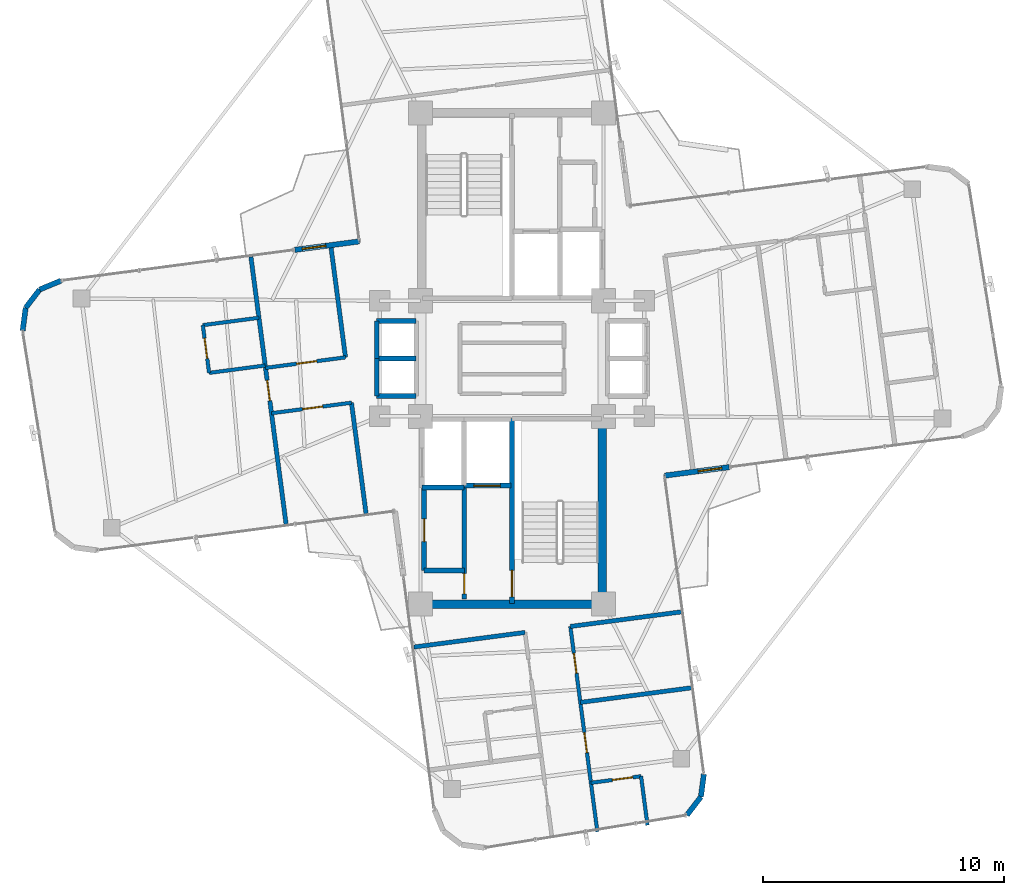
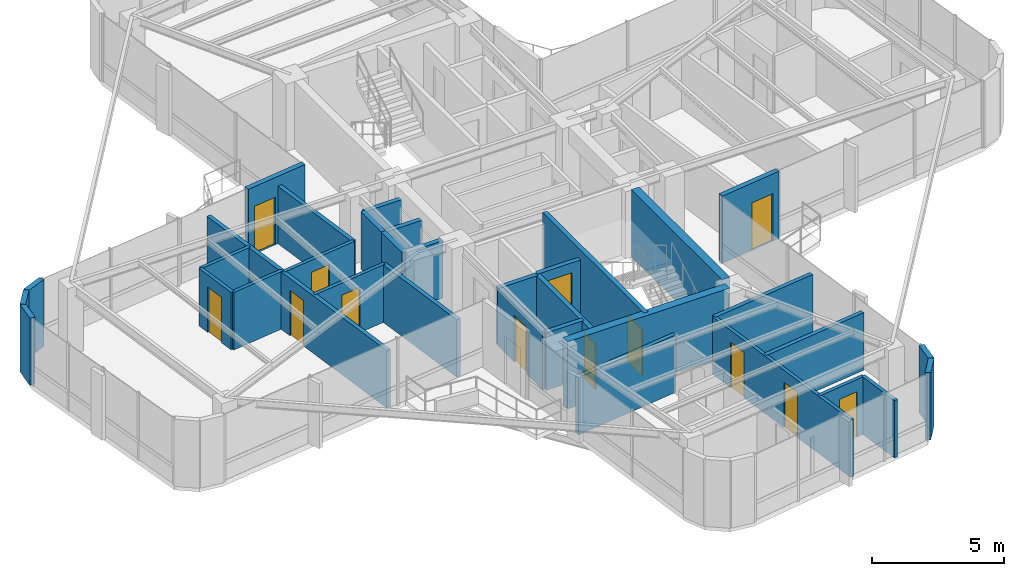
# One storey, part 18 of 21: 34 walls, 13 doors, 13 openings.
"""IFC4 building model written with IfcOpenShell, lengths in metres."""

from ifc_helpers import new_model, si_unit, direction, frame, frame_2d, origin, origin_2d, place, context, subcontext, project, spatial, rectangle, extrude, source, transform, mapped, material, layer, layer_set, type_object, element, fill, save


model = new_model("IFC4")

# Units and contexts
model_context = context("Model", 3, precision=1e-05, world=origin(), true_north=direction((0.0, 1.0)))
body_context = subcontext(model_context, "Body", "Model", "MODEL_VIEW")
ifc_project = project(units=[si_unit("LENGTHUNIT", "METRE"), si_unit("AREAUNIT", "SQUARE_METRE"), si_unit("VOLUMEUNIT", "CUBIC_METRE"), si_unit("PLANEANGLEUNIT", "RADIAN"), si_unit("MASSUNIT", "GRAM", prefix="KILO")], contexts=[model_context])

# Site, building, storey
site_placement = place(None, origin())
site = spatial("IfcSite", under=ifc_project, at=site_placement, CompositionType="ELEMENT")
building_placement = place(site_placement, origin())
building = spatial("IfcBuilding", under=site, at=building_placement, Name="Sahyath Konkavel Grand Hotel", CompositionType="ELEMENT")
storey_placement = place(building_placement, frame((0.0, 0.0, 216.550048828125)))
storey = spatial("IfcBuildingStorey", under=building, at=storey_placement, Name="L60", CompositionType="ELEMENT", Elevation=216.550048828125)

# Walls
ifc_material_1 = material(Name="Concrete C40/50", Category="concrete")
ifc_layer_1 = layer(ifc_material_1, 0.35009765625)
ifc_layer_set_1 = layer_set([ifc_layer_1], Name="Concrete C40/50")
wall_type_1 = type_object("IfcWallType", Name="CWALL-350", PredefinedType="SHEAR", material=ifc_layer_set_1)
wall_1_placement = place(storey_placement, frame((-3.550048828125, -10.199951171875, 0.0), z_axis=(0.0, 0.0, 1.0), x_axis=(1.0, 0.0, 0.0)))
element("IfcWall", 1, at=wall_1_placement, inside=storey, type_object=wall_type_1, Name="L60 South Core Shear Wall S", PredefinedType="SHEAR", context=body_context, shape_type="SweptSolid", body=[
    extrude(rectangle(XDim=7.10009765625, YDim=0.35009765625, at=frame_2d((3.550048828125, 0.0))), origin(), (0.0, 0.0, 1.0), 3.10986328125),
])
wall_2_placement = place(storey_placement, frame((3.739990234375, -9.75, 0.0), z_axis=(0.0, 0.0, 1.0), x_axis=(0.0, 1.0, 0.0)))
element("IfcWall", 2, at=wall_2_placement, inside=storey, type_object=wall_type_1, Name="L60 South Core Shear Wall E", PredefinedType="SHEAR", context=body_context, shape_type="SweptSolid", body=[
    extrude(rectangle(XDim=6.89990234375, YDim=0.35009765625, at=frame_2d((3.449951171875, 0.0))), origin(), (0.0, 0.0, 1.0), 3.10986328125),
])

# Wall, opening, door
ifc_material_2 = material(Name="Warm Buff Sandstone Insulated Concrete C40/50", Category="masonry")
ifc_layer_2 = layer(ifc_material_2, 0.219970703125)
ifc_layer_set_2 = layer_set([ifc_layer_2], Name="Warm Buff Sandstone Insulated Concrete C40/50")
wall_type_2 = type_object("IfcWallType", Name="WLL-BALC-THRESH", PredefinedType="STANDARD", material=ifc_layer_set_2)
wall_3_placement = place(storey_placement, frame((6.339111328125, -4.8642578125, 0.0), z_axis=(0.0, 0.0, 1.0), x_axis=(0.991439824936, 0.130564442062, 0.0)))
wall_3 = element("IfcWall", 3, at=wall_3_placement, inside=storey, type_object=wall_type_2, Name="L60 Winter-Garden Threshold Wall 0", PredefinedType="STANDARD", context=body_context, shape_type="SweptSolid", body=[
    extrude(rectangle(XDim=2.7001953125, YDim=0.219970703125, at=frame_2d((1.35009765625, 0.0))), origin(), (0.0, 0.0, 1.0), 3.10986328125),
])
opening_1_placement = place(wall_3_placement, frame((1.39990234375, 0.0, 0.0)))
opening_1 = element("IfcOpeningElement", 4, at=opening_1_placement, cuts=wall_3, Name="Opening D-TR1", PredefinedType="OPENING", context=body_context, shape_type="SweptSolid", body=[
    extrude(rectangle(XDim=1.0, YDim=2.199951171875, at=frame_2d((0.5, 1.10009765625))), frame((0.0, 0.1201171875, 0.0), z_axis=(0.0, -1.0, 0.0), x_axis=(1.0, 0.0, 0.0)), (0.0, 0.0, 1.0), 0.239990234375),
])
ifc_material_3 = material(Name="Anodised Bronze Aluminium & Low-E Glazing", Category="aluminium")
door_type_1 = type_object("IfcDoorType", Name="DR-TERRACE-1000", OperationType="NOTDEFINED", PredefinedType="DOOR", material=ifc_material_3)
shared_shape_1 = source(origin(), body_context, "Body", "SweptSolid", [
    extrude(rectangle(XDim=1.0, YDim=0.050048828125, at=origin_2d()), origin(), (0.0, 0.0, 1.0), 2.199951171875),
])
door_1_placement = place(opening_1_placement, frame((0.5, 0.0, 0.0)))
door_1 = element("IfcDoor", 5, at=door_1_placement, inside=storey, type_object=door_type_1, Name="L60 Winter-Garden Terrace Door 0", OperationType="SINGLE_SWING_LEFT", OverallHeight=2.199951171875, OverallWidth=1.0, PredefinedType="DOOR", context=body_context, shape_type="MappedRepresentation", body=[
    mapped(shared_shape_1, transform((0.0, 0.0, 0.0), scale=1.0)),
])
fill(opening_1, door_1)

wall_4_placement = place(storey_placement, frame((-6.339111328125, 4.8642578125, 0.0), z_axis=(0.0, 0.0, 1.0), x_axis=(-0.991439824936, -0.130564442062, 0.0)))
wall_4 = element("IfcWall", 6, at=wall_4_placement, inside=storey, type_object=wall_type_2, Name="L60 Winter-Garden Threshold Wall 16", PredefinedType="STANDARD", context=body_context, shape_type="SweptSolid", body=[
    extrude(rectangle(XDim=2.7001953125, YDim=0.219970703125, at=frame_2d((1.35009765625, 0.0))), origin(), (0.0, 0.0, 1.0), 3.10986328125),
])
opening_2_placement = place(wall_4_placement, frame((1.39990234375, 0.0, 0.0)))
opening_2 = element("IfcOpeningElement", 7, at=opening_2_placement, cuts=wall_4, Name="Opening D-TR1", PredefinedType="OPENING", context=body_context, shape_type="SweptSolid", body=[
    extrude(rectangle(XDim=1.0, YDim=2.199951171875, at=frame_2d((0.5, 1.10009765625))), frame((0.0, 0.1201171875, 0.0), z_axis=(0.0, -1.0, 0.0), x_axis=(1.0, 0.0, 0.0)), (0.0, 0.0, 1.0), 0.239990234375),
])
door_2_placement = place(opening_2_placement, frame((0.5, 0.0, 0.0)))
door_2 = element("IfcDoor", 8, at=door_2_placement, inside=storey, type_object=door_type_1, Name="L60 Winter-Garden Terrace Door 16", OperationType="SINGLE_SWING_LEFT", OverallHeight=2.199951171875, OverallWidth=1.0, PredefinedType="DOOR", context=body_context, shape_type="MappedRepresentation", body=[
    mapped(shared_shape_1, transform((0.0, 0.0, 0.0), scale=1.0)),
])
fill(opening_2, door_2)

# Walls
for number, where, z_axis, x_axis, name in (
    (9, (-18.732177734375, 3.232666015625, 0.0), (0.0, 0.0, 1.0), (-0.923889442397, -0.382659506909, 0.0), "L60 Rounded Corner Sandstone Pier 17"),
    (10, (-19.616943359375, 2.8662109375, 0.0), (0.0, 0.0, 1.0), (-0.608774010809, -0.793343685778, 0.0), "L60 Rounded Corner Sandstone Pier 18"),
    (11, (-20.199951171875, 2.1064453125, 0.0), (0.0, 0.0, 1.0), (-0.130527053476, -0.991444747987, 0.0), "L60 Rounded Corner Sandstone Pier 19"),
):
    element("IfcWall", number, at=place(storey_placement, frame(where, z_axis=z_axis, x_axis=x_axis)), inside=storey, type_object=wall_type_2, Name=name, PredefinedType="STANDARD", context=body_context, shape_type="SweptSolid", body=[
        extrude(rectangle(XDim=0.957763671875, YDim=0.219970703125, at=frame_2d((0.47900390625, 0.0))), origin(), (0.0, 0.0, 1.0), 3.10986328125),
    ])
wall_5_placement = place(storey_placement, frame((7.2626953125, -18.96630859375, 0.0), z_axis=(0.0, 0.0, 1.0), x_axis=(0.608897151398, 0.793249178392, 0.0)))
element("IfcWall", 12, at=wall_5_placement, inside=storey, type_object=wall_type_2, Name="L60 Rounded Corner Sandstone Pier 29", PredefinedType="STANDARD", context=body_context, shape_type="SweptSolid", body=[
    extrude(rectangle(XDim=0.95751953125, YDim=0.219970703125, at=frame_2d((0.478759765625, 0.0))), origin(), (0.0, 0.0, 1.0), 3.10986328125),
])
wall_6_placement = place(storey_placement, frame((7.845703125, -18.206787109375, 0.0), z_axis=(0.0, 0.0, 1.0), x_axis=(0.130527053476, 0.991444747987, 0.0)))
element("IfcWall", 13, at=wall_6_placement, inside=storey, type_object=wall_type_2, Name="L60 Rounded Corner Sandstone Pier 30", PredefinedType="STANDARD", context=body_context, shape_type="SweptSolid", body=[
    extrude(rectangle(XDim=0.957763671875, YDim=0.219970703125, at=frame_2d((0.47900390625, 0.0))), origin(), (0.0, 0.0, 1.0), 3.10986328125),
])

# Wall, opening, door
ifc_layer_3 = layer(ifc_material_1, 0.199951171875)
ifc_layer_set_3 = layer_set([ifc_layer_3], Name="Concrete C40/50")
wall_type_3 = type_object("IfcWallType", Name="WLL-CORE-200", PredefinedType="SOLIDWALL", material=ifc_layer_set_3)
wall_7_placement = place(storey_placement, frame((0.0, -10.179931640625, 0.0), z_axis=(0.0, 0.0, 1.0), x_axis=(0.0, 1.0, 0.0)))
wall_7 = element("IfcWall", 14, at=wall_7_placement, inside=storey, type_object=wall_type_3, Name="L60 Stair ST-2 Shaft Wall W", PredefinedType="SOLIDWALL", context=body_context, shape_type="SweptSolid", body=[
    extrude(rectangle(XDim=7.679931640625, YDim=0.199951171875, at=frame_2d((3.83984375, 0.0))), origin(), (0.0, 0.0, 1.0), 3.10986328125),
])
opening_3_placement = place(wall_7_placement, frame((0.280029296875, 0.0, 0.0)))
opening_3 = element("IfcOpeningElement", 15, at=opening_3_placement, cuts=wall_7, Name="Opening D-F12B", PredefinedType="OPENING", context=body_context, shape_type="SweptSolid", body=[
    extrude(rectangle(XDim=1.10009765625, YDim=2.14990234375, at=frame_2d((0.550048828125, 1.074951171875))), frame((0.0, 0.10986328125, 0.0), z_axis=(0.0, -1.0, 0.0), x_axis=(1.0, 0.0, 0.0)), (0.0, 0.0, 1.0), 0.219970703125),
])
ifc_material_4 = material(Name="Steel E350 Smokeproof Fire Door", Category="steel")
door_type_2 = type_object("IfcDoorType", Name="DR-FD120-1100", OperationType="NOTDEFINED", PredefinedType="DOOR", material=ifc_material_4)
shared_shape_2 = source(origin(), body_context, "Body", "SweptSolid", [
    extrude(rectangle(XDim=1.10009765625, YDim=0.050048828125, at=origin_2d()), origin(), (0.0, 0.0, 1.0), 2.14990234375),
])
door_3_placement = place(opening_3_placement, frame((0.550048828125, 0.0, 0.0)))
door_3 = element("IfcDoor", 16, at=door_3_placement, inside=storey, type_object=door_type_2, Name="L60 Stair ST-2 Fire Door", OperationType="SINGLE_SWING_LEFT", OverallHeight=2.14990234375, OverallWidth=1.10009765625, PredefinedType="DOOR", context=body_context, shape_type="MappedRepresentation", body=[
    mapped(shared_shape_2, transform((0.0, 0.0, 0.0), scale=1.0)),
])
fill(opening_3, door_3)

wall_8_placement = place(storey_placement, frame((-1.97998046875, -9.97998046875, 0.0), z_axis=(0.0, 0.0, 1.0), x_axis=(0.0, 1.0, 0.0)))
wall_8 = element("IfcWall", 17, at=wall_8_placement, inside=storey, type_object=wall_type_3, Name="L60 South Firefighting Lobby Wall W", PredefinedType="SOLIDWALL", context=body_context, shape_type="SweptSolid", body=[
    extrude(rectangle(XDim=4.659912109375, YDim=0.199951171875, at=frame_2d((2.330078125, 0.0))), origin(), (0.0, 0.0, 1.0), 2.659912109375),
])
opening_4_placement = place(wall_8_placement, frame((0.199951171875, 0.0, 0.0)))
opening_4 = element("IfcOpeningElement", 18, at=opening_4_placement, cuts=wall_8, Name="Opening D-F12D", PredefinedType="OPENING", context=body_context, shape_type="SweptSolid", body=[
    extrude(rectangle(XDim=0.85009765625, YDim=2.10009765625, at=frame_2d((0.425048828125, 1.050048828125))), frame((0.0, 0.10986328125, 0.0), z_axis=(0.0, -1.0, 0.0), x_axis=(1.0, 0.0, 0.0)), (0.0, 0.0, 1.0), 0.219970703125),
])
ifc_material_5 = material(Name="Steel E350 Core Fire Door", Category="steel")
door_type_3 = type_object("IfcDoorType", Name="DR-FD120-850", OperationType="NOTDEFINED", PredefinedType="DOOR", material=ifc_material_5)
shared_shape_3 = source(origin(), body_context, "Body", "SweptSolid", [
    extrude(rectangle(XDim=0.85009765625, YDim=0.050048828125, at=origin_2d()), origin(), (0.0, 0.0, 1.0), 2.10009765625),
])
door_4_placement = place(opening_4_placement, frame((0.425048828125, 0.0, 0.0)))
door_4 = element("IfcDoor", 19, at=door_4_placement, inside=storey, type_object=door_type_3, Name="L60 South Firefighting Lobby Door", OperationType="SINGLE_SWING_LEFT", OverallHeight=2.10009765625, OverallWidth=0.85009765625, PredefinedType="DOOR", context=body_context, shape_type="MappedRepresentation", body=[
    mapped(shared_shape_3, transform((0.0, 0.0, 0.0), scale=1.0)),
])
fill(opening_4, door_4)

wall_9_placement = place(storey_placement, frame((-1.97998046875, -5.280029296875, 0.0), z_axis=(0.0, 0.0, 1.0), x_axis=(1.0, 0.0, 0.0)))
wall_9 = element("IfcWall", 20, at=wall_9_placement, inside=storey, type_object=wall_type_3, Name="L60 Partition SH-FFL2-S", PredefinedType="SOLIDWALL", context=body_context, shape_type="SweptSolid", body=[
    extrude(rectangle(XDim=1.929931640625, YDim=0.199951171875, at=frame_2d((0.96484375, 0.0))), origin(), (0.0, 0.0, 1.0), 2.659912109375),
])
opening_5_placement = place(wall_9_placement, frame((0.39990234375, 0.0, 0.0)))
opening_5 = element("IfcOpeningElement", 21, at=opening_5_placement, cuts=wall_9, Name="Opening LD-11", PredefinedType="OPENING", context=body_context, shape_type="SweptSolid", body=[
    extrude(rectangle(XDim=1.10009765625, YDim=2.199951171875, at=frame_2d((0.550048828125, 1.10009765625))), frame((0.0, 0.10986328125, 0.0), z_axis=(0.0, -1.0, 0.0), x_axis=(1.0, 0.0, 0.0)), (0.0, 0.0, 1.0), 0.219970703125),
])
ifc_material_6 = material(Name="Bronze Lift Landing Door 1100")
door_type_4 = type_object("IfcDoorType", Name="DR-LIFT-1100", OperationType="DOUBLE_DOOR_SLIDING", PredefinedType="DOOR", material=ifc_material_6)
shared_shape_4 = source(origin(), body_context, "Body", "SweptSolid", [
    extrude(rectangle(XDim=1.10009765625, YDim=0.050048828125, at=origin_2d()), origin(), (0.0, 0.0, 1.0), 2.199951171875),
])
door_5_placement = place(opening_5_placement, frame((0.550048828125, 0.0, 0.0)))
door_5 = element("IfcDoor", 22, at=door_5_placement, inside=storey, type_object=door_type_4, Name="L60 Lift FFL-2 Landing Door", OperationType="DOUBLE_DOOR_SLIDING", OverallHeight=2.199951171875, OverallWidth=1.10009765625, PredefinedType="DOOR", context=body_context, shape_type="MappedRepresentation", body=[
    mapped(shared_shape_4, transform((0.0, 0.0, 0.0), scale=1.0)),
])
fill(opening_5, door_5)

# Walls
wall_10_placement = place(storey_placement, frame((-3.739990234375, -5.360107421875, 0.0), z_axis=(0.0, 0.0, 1.0), x_axis=(1.0, 0.0, 0.0)))
element("IfcWall", 23, at=wall_10_placement, inside=storey, type_object=wall_type_3, Name="L60 Partition SH-SVL2-S", PredefinedType="SOLIDWALL", context=body_context, shape_type="SweptSolid", body=[
    extrude(rectangle(XDim=1.739990234375, YDim=0.199951171875, at=frame_2d((0.8701171875, 0.0))), origin(), (0.0, 0.0, 1.0), 2.659912109375),
])
for number, where, z_axis, x_axis, name in (
    (24, (-5.6201171875, 1.56005859375, 0.0), (0.0, 0.0, 1.0), (1.0, 0.0, 0.0), "L60 Partition SH-SL12-N"),
    (25, (-5.6201171875, -1.56005859375, 0.0), (0.0, 0.0, 1.0), (1.0, 0.0, 0.0), "L60 Partition SH-SL12-S"),
    (26, (-5.6201171875, 0.0, 0.0), (0.0, 0.0, 1.0), (1.0, 0.0, 0.0), "L60 Partition SH-SL12-M"),
):
    element("IfcWall", number, at=place(storey_placement, frame(where, z_axis=z_axis, x_axis=x_axis)), inside=storey, type_object=wall_type_3, Name=name, PredefinedType="SOLIDWALL", context=body_context, shape_type="SweptSolid", body=[
        extrude(rectangle(XDim=1.64013671875, YDim=0.199951171875, at=frame_2d((0.820068359375, 0.0))), origin(), (0.0, 0.0, 1.0), 2.659912109375),
    ])
for number, where, z_axis, x_axis, name in (
    (27, (-5.6201171875, 0.0, 0.0), (0.0, 0.0, 1.0), (0.0, 1.0, 0.0), "L60 Partition SH-SL1-W"),
    (28, (-5.6201171875, -1.56005859375, 0.0), (0.0, 0.0, 1.0), (0.0, 1.0, 0.0), "L60 Partition SH-SL2-W"),
):
    element("IfcWall", number, at=place(storey_placement, frame(where, z_axis=z_axis, x_axis=x_axis)), inside=storey, type_object=wall_type_3, Name=name, PredefinedType="SOLIDWALL", context=body_context, shape_type="SweptSolid", body=[
        extrude(rectangle(XDim=1.56005859375, YDim=0.199951171875, at=frame_2d((0.780029296875, 0.0))), origin(), (0.0, 0.0, 1.0), 2.659912109375),
    ])

# Wall, opening, door
wall_11_placement = place(storey_placement, frame((-3.64990234375, -8.81005859375, 0.0), z_axis=(0.0, 0.0, 1.0), x_axis=(0.0, 1.0, 0.0)))
wall_11 = element("IfcWall", 29, at=wall_11_placement, inside=storey, type_object=wall_type_3, Name="L60 Reclaimed South Core Wall W", PredefinedType="SOLIDWALL", context=body_context, shape_type="SweptSolid", body=[
    extrude(rectangle(XDim=3.43017578125, YDim=0.199951171875, at=frame_2d((1.715087890625, 0.0))), origin(), (0.0, 0.0, 1.0), 2.659912109375),
])
opening_6_placement = place(wall_11_placement, frame((1.199951171875, 0.0, 0.0)))
opening_6 = element("IfcOpeningElement", 30, at=opening_6_placement, cuts=wall_11, Name="Opening D-AC95", PredefinedType="OPENING", context=body_context, shape_type="SweptSolid", body=[
    extrude(rectangle(XDim=0.949951171875, YDim=2.14990234375, at=frame_2d((0.47509765625, 1.074951171875))), frame((0.0, 0.10986328125, 0.0), z_axis=(0.0, -1.0, 0.0), x_axis=(1.0, 0.0, 0.0)), (0.0, 0.0, 1.0), 0.219970703125),
])
ifc_material_7 = material(Name="Accessible Washroom Timber Door", Category="wood")
door_type_5 = type_object("IfcDoorType", Name="DR-ACC-950", OperationType="NOTDEFINED", PredefinedType="DOOR", material=ifc_material_7)
shared_shape_5 = source(origin(), body_context, "Body", "SweptSolid", [
    extrude(rectangle(XDim=0.949951171875, YDim=0.050048828125, at=origin_2d()), origin(), (0.0, 0.0, 1.0), 2.14990234375),
])
door_6_placement = place(opening_6_placement, frame((0.47509765625, 0.0, 0.0)))
door_6 = element("IfcDoor", 31, at=door_6_placement, inside=storey, type_object=door_type_5, Name="L60 Door SC-REC1-D", OperationType="SINGLE_SWING_LEFT", OverallHeight=2.14990234375, OverallWidth=0.949951171875, PredefinedType="DOOR", context=body_context, shape_type="MappedRepresentation", body=[
    mapped(shared_shape_5, transform((0.0, 0.0, 0.0), scale=1.0)),
])
fill(opening_6, door_6)

# Walls
wall_12_placement = place(storey_placement, frame((-3.64990234375, -8.81005859375, 0.0), z_axis=(0.0, 0.0, 1.0), x_axis=(1.0, 0.0, 0.0)))
element("IfcWall", 32, at=wall_12_placement, inside=storey, type_object=wall_type_3, Name="L60 Partition SC-REC-S", PredefinedType="SOLIDWALL", context=body_context, shape_type="SweptSolid", body=[
    extrude(rectangle(XDim=1.669921875, YDim=0.199951171875, at=frame_2d((0.8349609375, 0.0))), origin(), (0.0, 0.0, 1.0), 2.659912109375),
])
ifc_material_8 = material(Name="Twin-Stud Acoustic Gypsum Plasterboard Partition")
ifc_layer_4 = layer(ifc_material_8, 0.179931640625)
ifc_layer_set_4 = layer_set([ifc_layer_4], Name="Twin-Stud Acoustic Gypsum Plasterboard Partition")
wall_type_4 = type_object("IfcWallType", Name="WLL-DEMISE-180", PredefinedType="PARTITIONING", material=ifc_layer_set_4)
wall_13_placement = place(storey_placement, frame((-6.66748046875, -1.8359375, 0.0), z_axis=(0.0, 0.0, 1.0), x_axis=(0.13051970184, -0.991445715827, 0.0)))
element("IfcWall", 33, at=wall_13_placement, inside=storey, type_object=wall_type_4, Name="L60 Partition W-INL", PredefinedType="PARTITIONING", context=body_context, shape_type="SweptSolid", body=[
    extrude(rectangle(XDim=4.650146484375, YDim=0.179931640625, at=frame_2d((2.3251953125, 0.0))), origin(), (0.0, 0.0, 1.0), 2.659912109375),
])
wall_14_placement = place(storey_placement, frame((-7.522216796875, 4.657958984375, 0.0), z_axis=(0.0, 0.0, 1.0), x_axis=(0.130526496103, -0.991444821367, 0.0)))
element("IfcWall", 34, at=wall_14_placement, inside=storey, type_object=wall_type_4, Name="L60 Partition W-INR", PredefinedType="PARTITIONING", context=body_context, shape_type="SweptSolid", body=[
    extrude(rectangle(XDim=4.64990234375, YDim=0.179931640625, at=frame_2d((2.324951171875, 0.0))), origin(), (0.0, 0.0, 1.0), 2.659912109375),
])

# Wall, opening, door
wall_15_placement = place(storey_placement, frame((-10.84375, 4.220703125, 0.0), z_axis=(0.0, 0.0, 1.0), x_axis=(0.130527251821, -0.991444721874, 0.0)))
wall_15 = element("IfcWall", 35, at=wall_15_placement, inside=storey, type_object=wall_type_4, Name="L60 Partition W-WTIP-END", PredefinedType="PARTITIONING", context=body_context, shape_type="SweptSolid", body=[
    extrude(rectangle(XDim=11.199951171875, YDim=0.179931640625, at=frame_2d((5.60009765625, 0.0))), origin(), (0.0, 0.0, 1.0), 2.659912109375),
])
opening_7_placement = place(wall_15_placement, frame((5.175048828125, 0.0, 0.0)))
opening_7 = element("IfcOpeningElement", 36, at=opening_7_placement, cuts=wall_15, Name="Opening D-F06D", PredefinedType="OPENING", context=body_context, shape_type="SweptSolid", body=[
    extrude(rectangle(XDim=0.85009765625, YDim=2.10009765625, at=frame_2d((0.425048828125, 1.050048828125))), frame((0.0, 0.10009765625, 0.0), z_axis=(0.0, -1.0, 0.0), x_axis=(1.0, 0.0, 0.0)), (0.0, 0.0, 1.0), 0.199951171875),
])
ifc_material_9 = material(Name="Fire-Rated Shaft Access Door")
door_type_6 = type_object("IfcDoorType", Name="DR-FD60-850", OperationType="NOTDEFINED", PredefinedType="DOOR", material=ifc_material_9)
door_7_placement = place(opening_7_placement, frame((0.425048828125, 0.0, 0.0)))
door_7 = element("IfcDoor", 37, at=door_7_placement, inside=storey, type_object=door_type_6, Name="L60 Door W-WTIP-ED", OperationType="SINGLE_SWING_LEFT", OverallHeight=2.10009765625, OverallWidth=0.85009765625, PredefinedType="DOOR", context=body_context, shape_type="MappedRepresentation", body=[
    mapped(shared_shape_3, transform((0.0, 0.0, 0.0), scale=1.0)),
])
fill(opening_7, door_7)

# Walls
wall_16_placement = place(storey_placement, frame((2.42333984375, -11.12890625, 0.0), z_axis=(0.0, 0.0, 1.0), x_axis=(0.991445715827, 0.13051970184, 0.0)))
element("IfcWall", 38, at=wall_16_placement, inside=storey, type_object=wall_type_4, Name="L60 Partition S-INL", PredefinedType="PARTITIONING", context=body_context, shape_type="SweptSolid", body=[
    extrude(rectangle(XDim=4.650146484375, YDim=0.179931640625, at=frame_2d((2.3251953125, 0.0))), origin(), (0.0, 0.0, 1.0), 2.659912109375),
])
wall_17_placement = place(storey_placement, frame((-4.070556640625, -11.98388671875, 0.0), z_axis=(0.0, 0.0, 1.0), x_axis=(0.991444821367, 0.130526496103, 0.0)))
element("IfcWall", 39, at=wall_17_placement, inside=storey, type_object=wall_type_4, Name="L60 Partition S-INR", PredefinedType="PARTITIONING", context=body_context, shape_type="SweptSolid", body=[
    extrude(rectangle(XDim=4.64990234375, YDim=0.179931640625, at=frame_2d((2.324951171875, 0.0))), origin(), (0.0, 0.0, 1.0), 2.659912109375),
])
wall_18_placement = place(storey_placement, frame((2.838623046875, -14.28369140625, 0.0), z_axis=(0.0, 0.0, 1.0), x_axis=(0.991445715827, 0.13051970184, 0.0)))
element("IfcWall", 40, at=wall_18_placement, inside=storey, type_object=wall_type_4, Name="L60 Partition S-S1L-DEM", PredefinedType="PARTITIONING", context=body_context, shape_type="SweptSolid", body=[
    extrude(rectangle(XDim=4.650146484375, YDim=0.179931640625, at=frame_2d((2.3251953125, 0.0))), origin(), (0.0, 0.0, 1.0), 2.659912109375),
])

# Wall, opening, door
ifc_material_10 = material(Name="Fire-Rated Gypsum Plasterboard Partition")
ifc_layer_5 = layer(ifc_material_10, 0.14990234375)
ifc_layer_set_5 = layer_set([ifc_layer_5], Name="Fire-Rated Gypsum Plasterboard Partition")
wall_type_5 = type_object("IfcWallType", Name="WLL-PART-150", PredefinedType="PARTITIONING", material=ifc_layer_set_5)
wall_19_placement = place(storey_placement, frame((-6.66748046875, -1.8359375, 0.0), z_axis=(0.0, 0.0, 1.0), x_axis=(-0.991444866817, -0.130526150873, 0.0)))
wall_19 = element("IfcWall", 41, at=wall_19_placement, inside=storey, type_object=wall_type_5, Name="L60 Partition W-CL", PredefinedType="PARTITIONING", context=body_context, shape_type="SweptSolid", body=[
    extrude(rectangle(XDim=3.349853515625, YDim=0.14990234375, at=frame_2d((1.6748046875, 0.0))), origin(), (0.0, 0.0, 1.0), 2.659912109375),
])
opening_8_placement = place(wall_19_placement, frame((1.199951171875, 0.0, 0.0)))
opening_8 = element("IfcOpeningElement", 42, at=opening_8_placement, cuts=wall_19, Name="Opening D-F06D", PredefinedType="OPENING", context=body_context, shape_type="SweptSolid", body=[
    extrude(rectangle(XDim=0.85009765625, YDim=2.10009765625, at=frame_2d((0.425048828125, 1.050048828125))), frame((0.0, 0.0849609375, 0.0), z_axis=(0.0, -1.0, 0.0), x_axis=(1.0, 0.0, 0.0)), (0.0, 0.0, 1.0), 0.169921875),
])
door_8_placement = place(opening_8_placement, frame((0.425048828125, 0.0, 0.0)))
door_8 = element("IfcDoor", 43, at=door_8_placement, inside=storey, type_object=door_type_6, Name="L60 Door W-WS3L-D", OperationType="SINGLE_SWING_RIGHT", OverallHeight=2.10009765625, OverallWidth=0.85009765625, PredefinedType="DOOR", context=body_context, shape_type="MappedRepresentation", body=[
    mapped(shared_shape_3, transform((0.0, 0.0, 0.0), scale=1.0)),
])
fill(opening_8, door_8)

wall_20_placement = place(storey_placement, frame((-6.915283203125, 0.0478515625, 0.0), z_axis=(0.0, 0.0, 1.0), x_axis=(-0.991446108327, -0.130516720324, 0.0)))
wall_20 = element("IfcWall", 44, at=wall_20_placement, inside=storey, type_object=wall_type_5, Name="L60 Partition W-CR", PredefinedType="PARTITIONING", context=body_context, shape_type="SweptSolid", body=[
    extrude(rectangle(XDim=3.35009765625, YDim=0.14990234375, at=frame_2d((1.675048828125, 0.0))), origin(), (0.0, 0.0, 1.0), 2.659912109375),
])
opening_9_placement = place(wall_20_placement, frame((1.199951171875, 0.0, 0.0)))
opening_9 = element("IfcOpeningElement", 45, at=opening_9_placement, cuts=wall_20, Name="Opening D-F06D", PredefinedType="OPENING", context=body_context, shape_type="SweptSolid", body=[
    extrude(rectangle(XDim=0.85009765625, YDim=2.10009765625, at=frame_2d((0.425048828125, 1.050048828125))), frame((0.0, 0.0849609375, 0.0), z_axis=(0.0, -1.0, 0.0), x_axis=(1.0, 0.0, 0.0)), (0.0, 0.0, 1.0), 0.169921875),
])
door_9_placement = place(opening_9_placement, frame((0.425048828125, 0.0, 0.0)))
door_9 = element("IfcDoor", 46, at=door_9_placement, inside=storey, type_object=door_type_6, Name="L60 Door W-WS3R-D", OperationType="SINGLE_SWING_LEFT", OverallHeight=2.10009765625, OverallWidth=0.85009765625, PredefinedType="DOOR", context=body_context, shape_type="MappedRepresentation", body=[
    mapped(shared_shape_3, transform((0.0, 0.0, 0.0), scale=1.0)),
])
fill(opening_9, door_9)

# Walls
wall_21_placement = place(storey_placement, frame((-10.249755859375, -0.290283203125, 0.0), z_axis=(0.0, 0.0, 1.0), x_axis=(-0.991436251812, -0.130591571678, 0.0)))
element("IfcWall", 47, at=wall_21_placement, inside=storey, type_object=wall_type_5, Name="L60 Partition W-WTIP-BN", PredefinedType="PARTITIONING", context=body_context, shape_type="SweptSolid", body=[
    extrude(rectangle(XDim=2.349853515625, YDim=0.14990234375, at=frame_2d((1.1748046875, 0.0))), origin(), (0.0, 0.0, 1.0), 2.659912109375),
])
wall_22_placement = place(storey_placement, frame((-10.5107421875, 1.6923828125, 0.0), z_axis=(0.0, 0.0, 1.0), x_axis=(-0.991451466659, -0.130476010281, 0.0)))
element("IfcWall", 48, at=wall_22_placement, inside=storey, type_object=wall_type_5, Name="L60 Partition W-WTIP-BS", PredefinedType="PARTITIONING", context=body_context, shape_type="SweptSolid", body=[
    extrude(rectangle(XDim=2.35009765625, YDim=0.14990234375, at=frame_2d((1.175048828125, 0.0))), origin(), (0.0, 0.0, 1.0), 2.659912109375),
])

# Wall, opening, door
wall_23_placement = place(storey_placement, frame((-12.8408203125, 1.3857421875, 0.0), z_axis=(0.0, 0.0, 1.0), x_axis=(0.130612392842, -0.991433509034, 0.0)))
wall_23 = element("IfcWall", 49, at=wall_23_placement, inside=storey, type_object=wall_type_5, Name="L60 Partition W-WTIP-BE", PredefinedType="PARTITIONING", context=body_context, shape_type="SweptSolid", body=[
    extrude(rectangle(XDim=2.0, YDim=0.14990234375, at=frame_2d((1.0, 0.0))), origin(), (0.0, 0.0, 1.0), 2.659912109375),
])
opening_10_placement = place(wall_23_placement, frame((0.550048828125, 0.0, 0.0)))
opening_10 = element("IfcOpeningElement", 50, at=opening_10_placement, cuts=wall_23, Name="Opening D-BT85", PredefinedType="OPENING", context=body_context, shape_type="SweptSolid", body=[
    extrude(rectangle(XDim=0.85009765625, YDim=2.10009765625, at=frame_2d((0.425048828125, 1.050048828125))), frame((0.0, 0.0849609375, 0.0), z_axis=(0.0, -1.0, 0.0), x_axis=(1.0, 0.0, 0.0)), (0.0, 0.0, 1.0), 0.169921875),
])
ifc_material_11 = material(Name="Moisture-Resistant Teak Bathroom Door")
door_type_7 = type_object("IfcDoorType", Name="DR-BATH-850", OperationType="NOTDEFINED", PredefinedType="DOOR", material=ifc_material_11)
door_10_placement = place(opening_10_placement, frame((0.425048828125, 0.0, 0.0)))
door_10 = element("IfcDoor", 51, at=door_10_placement, inside=storey, type_object=door_type_7, Name="L60 Door W-WTIP-BD", OperationType="SINGLE_SWING_RIGHT", OverallHeight=2.10009765625, OverallWidth=0.85009765625, PredefinedType="DOOR", context=body_context, shape_type="MappedRepresentation", body=[
    mapped(shared_shape_3, transform((0.0, 0.0, 0.0), scale=1.0)),
])
fill(opening_10, door_10)

# Wall, openings, doors
wall_24_placement = place(storey_placement, frame((2.42333984375, -11.12890625, 0.0), z_axis=(0.0, 0.0, 1.0), x_axis=(0.130530885115, -0.991444243531, 0.0)))
wall_24 = element("IfcWall", 52, at=wall_24_placement, inside=storey, type_object=wall_type_5, Name="L60 Partition S-CL", PredefinedType="PARTITIONING", context=body_context, shape_type="SweptSolid", body=[
    extrude(rectangle(XDim=8.599853515625, YDim=0.14990234375, at=frame_2d((4.2998046875, 0.0))), origin(), (0.0, 0.0, 1.0), 2.659912109375),
])
opening_11_placement = place(wall_24_placement, frame((1.115966796875, 0.0, 0.0)))
opening_11 = element("IfcOpeningElement", 53, at=opening_11_placement, cuts=wall_24, Name="Opening D-F06D", PredefinedType="OPENING", context=body_context, shape_type="SweptSolid", body=[
    extrude(rectangle(XDim=0.85009765625, YDim=2.10009765625, at=frame_2d((0.425048828125, 1.050048828125))), frame((0.0, 0.0849609375, 0.0), z_axis=(0.0, -1.0, 0.0), x_axis=(1.0, 0.0, 0.0)), (0.0, 0.0, 1.0), 0.169921875),
])
opening_12_placement = place(wall_24_placement, frame((4.44091796875, 0.0, 0.0)))
opening_12 = element("IfcOpeningElement", 54, at=opening_12_placement, cuts=wall_24, Name="Opening D-F06D", PredefinedType="OPENING", context=body_context, shape_type="SweptSolid", body=[
    extrude(rectangle(XDim=0.85009765625, YDim=2.10009765625, at=frame_2d((0.425048828125, 1.050048828125))), frame((0.0, 0.0849609375, 0.0), z_axis=(0.0, -1.0, 0.0), x_axis=(1.0, 0.0, 0.0)), (0.0, 0.0, 1.0), 0.169921875),
])
door_11_placement = place(opening_11_placement, frame((0.425048828125, 0.0, 0.0)))
door_11 = element("IfcDoor", 55, at=door_11_placement, inside=storey, type_object=door_type_6, Name="L60 Door S-S1L-D", OperationType="SINGLE_SWING_RIGHT", OverallHeight=2.10009765625, OverallWidth=0.85009765625, PredefinedType="DOOR", context=body_context, shape_type="MappedRepresentation", body=[
    mapped(shared_shape_3, transform((0.0, 0.0, 0.0), scale=1.0)),
])
fill(opening_11, door_11)
door_12_placement = place(opening_12_placement, frame((0.425048828125, 0.0, 0.0)))
door_12 = element("IfcDoor", 56, at=door_12_placement, inside=storey, type_object=door_type_6, Name="L60 Door S-S2L-ED", OperationType="SINGLE_SWING_RIGHT", OverallHeight=2.10009765625, OverallWidth=0.85009765625, PredefinedType="DOOR", context=body_context, shape_type="MappedRepresentation", body=[
    mapped(shared_shape_3, transform((0.0, 0.0, 0.0), scale=1.0)),
])
fill(opening_12, door_12)

# Wall, opening, door
wall_25_placement = place(storey_placement, frame((3.2783203125, -17.622802734375, 0.0), z_axis=(0.0, 0.0, 1.0), x_axis=(0.9914558783, 0.13044248305, 0.0)))
wall_25 = element("IfcWall", 57, at=wall_25_placement, inside=storey, type_object=wall_type_5, Name="L60 Partition S-S2L-BS", PredefinedType="PARTITIONING", context=body_context, shape_type="SweptSolid", body=[
    extrude(rectangle(XDim=2.099853515625, YDim=0.14990234375, at=frame_2d((1.0498046875, 0.0))), origin(), (0.0, 0.0, 1.0), 2.659912109375),
])
opening_13_placement = place(wall_25_placement, frame((0.89990234375, 0.0, 0.0)))
opening_13 = element("IfcOpeningElement", 58, at=opening_13_placement, cuts=wall_25, Name="Opening D-BT85", PredefinedType="OPENING", context=body_context, shape_type="SweptSolid", body=[
    extrude(rectangle(XDim=0.85009765625, YDim=2.10009765625, at=frame_2d((0.425048828125, 1.050048828125))), frame((0.0, 0.0849609375, 0.0), z_axis=(0.0, -1.0, 0.0), x_axis=(1.0, 0.0, 0.0)), (0.0, 0.0, 1.0), 0.169921875),
])
door_13_placement = place(opening_13_placement, frame((0.425048828125, 0.0, 0.0)))
door_13 = element("IfcDoor", 59, at=door_13_placement, inside=storey, type_object=door_type_7, Name="L60 Door S-S2L-BD", OperationType="SINGLE_SWING_LEFT", OverallHeight=2.10009765625, OverallWidth=0.85009765625, PredefinedType="DOOR", context=body_context, shape_type="MappedRepresentation", body=[
    mapped(shared_shape_3, transform((0.0, 0.0, 0.0), scale=1.0)),
])
fill(opening_13, door_13)

# Wall
wall_26_placement = place(storey_placement, frame((5.3603515625, -17.348876953125, 0.0), z_axis=(0.0, 0.0, 1.0), x_axis=(0.130540781221, -0.991442940586, 0.0)))
element("IfcWall", 60, at=wall_26_placement, inside=storey, type_object=wall_type_5, Name="L60 Partition S-S2L-BF", PredefinedType="PARTITIONING", context=body_context, shape_type="SweptSolid", body=[
    extrude(rectangle(XDim=2.0498046875, YDim=0.14990234375, at=frame_2d((1.02490234375, 0.0))), origin(), (0.0, 0.0, 1.0), 2.659912109375),
])

save(model, "model.ifc")
